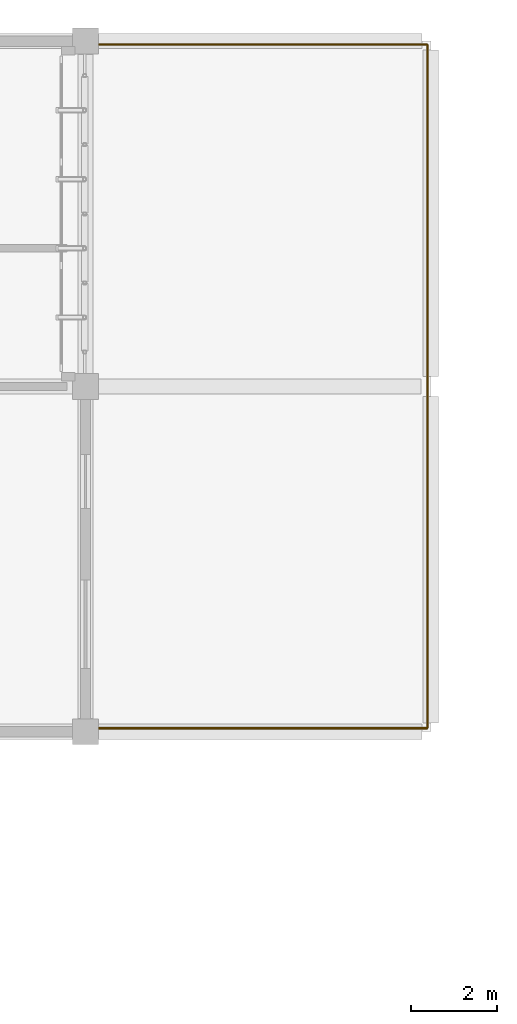
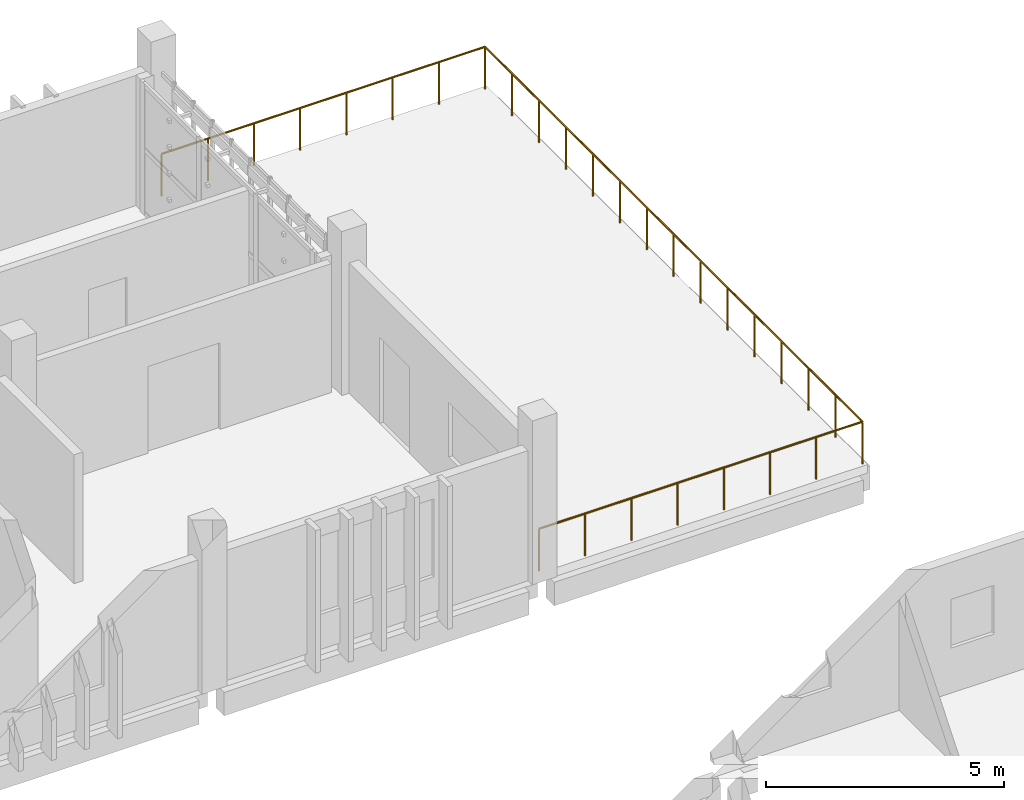
# One storey, part 48 of 48: 1 railing.
"""IFC4 building model written with IfcOpenShell, lengths in metres."""

from ifc_helpers import new_model, si_unit, direction, frame, origin, origin_2d, place, context, subcontext, project, spatial, circle, extrude, material, type_object, element, save


model = new_model("IFC4")

# Units and contexts
model_context = context("Model", 3, precision=1e-05, world=origin(), true_north=direction((0.0, 1.0)))
body_context = subcontext(model_context, "Body", "Model", "MODEL_VIEW")
ifc_project = project(units=[si_unit("LENGTHUNIT", "METRE"), si_unit("AREAUNIT", "SQUARE_METRE"), si_unit("VOLUMEUNIT", "CUBIC_METRE"), si_unit("PLANEANGLEUNIT", "RADIAN"), si_unit("MASSUNIT", "GRAM", prefix="KILO")], contexts=[model_context])

# Site, building, storey
site_placement = place(None, origin())
site = spatial("IfcSite", under=ifc_project, at=site_placement, CompositionType="ELEMENT")
building_placement = place(site_placement, origin())
building = spatial("IfcBuilding", under=site, at=building_placement, Name="Jelvoka-Kovrelna Polytechnic", CompositionType="ELEMENT")
storey_placement = place(building_placement, frame((0.0, 0.0, 22.199951171875)))
storey = spatial("IfcBuildingStorey", under=building, at=storey_placement, Name="L06", CompositionType="ELEMENT", Elevation=22.199951171875)

# Railing
ifc_material = material(Name="Brushed stainless steel Grade 316", Category="steel")
railing_type = type_object("IfcRailingType", Name="Railing_Terrace_Guard_1100", PredefinedType="GUARDRAIL", material=ifc_material)
railing_placement = place(storey_placement, frame((184.080078125, 56.080078125, 0.0)))
element("IfcRailing", 1, at=railing_placement, inside=storey, type_object=railing_type, Name="L06 terrace perimeter guard TER-L06-B3E", PredefinedType="GUARDRAIL", context=body_context, shape_type="SweptSolid", body=[
    extrude(circle(Radius=0.02392578125, at=origin_2d()), frame((0.0, 0.0, 1.076171875), z_axis=(1.0, 0.0, 0.0), x_axis=(0.0, 1.0, 0.0)), (0.0, 0.0, 1.0), 7.83984375),
    extrude(circle(Radius=0.02392578125, at=origin_2d()), frame((7.83984375, 0.0, 1.076171875), z_axis=(0.0, 1.0, 0.0), x_axis=(-1.0, 0.0, 0.0)), (0.0, 0.0, 1.0), 15.83984375),
    extrude(circle(Radius=0.02392578125, at=origin_2d()), frame((7.83984375, 15.83984375, 1.076171875), z_axis=(-1.0, 0.0, 0.0), x_axis=(0.0, -1.0, 0.0)), (0.0, 0.0, 1.0), 7.83984375),
    extrude(circle(Radius=0.02099609375, at=origin_2d()), origin(), (0.0, 0.0, 1.0), 1.052001953125),
    extrude(circle(Radius=0.02099609375, at=origin_2d()), frame((1.119873046875, 0.0, 0.0)), (0.0, 0.0, 1.0), 1.052001953125),
    extrude(circle(Radius=0.02099609375, at=origin_2d()), frame((2.239990234375, 0.0, 0.0)), (0.0, 0.0, 1.0), 1.052001953125),
    extrude(circle(Radius=0.02099609375, at=origin_2d()), frame((3.35986328125, 0.0, 0.0)), (0.0, 0.0, 1.0), 1.052001953125),
    extrude(circle(Radius=0.02099609375, at=origin_2d()), frame((4.47998046875, 0.0, 0.0)), (0.0, 0.0, 1.0), 1.052001953125),
    extrude(circle(Radius=0.02099609375, at=origin_2d()), frame((5.599853515625, 0.0, 0.0)), (0.0, 0.0, 1.0), 1.052001953125),
    extrude(circle(Radius=0.02099609375, at=origin_2d()), frame((6.719970703125, 0.0, 0.0)), (0.0, 0.0, 1.0), 1.052001953125),
    extrude(circle(Radius=0.02099609375, at=origin_2d()), frame((7.83984375, 0.0, 0.0)), (0.0, 0.0, 1.0), 1.052001953125),
    extrude(circle(Radius=0.02099609375, at=origin_2d()), frame((7.83984375, 1.13134765625, 0.0)), (0.0, 0.0, 1.0), 1.052001953125),
    extrude(circle(Radius=0.02099609375, at=origin_2d()), frame((7.83984375, 2.262939453125, 0.0)), (0.0, 0.0, 1.0), 1.052001953125),
    extrude(circle(Radius=0.02099609375, at=origin_2d()), frame((7.83984375, 3.394287109375, 0.0)), (0.0, 0.0, 1.0), 1.052001953125),
    extrude(circle(Radius=0.02099609375, at=origin_2d()), frame((7.83984375, 4.525634765625, 0.0)), (0.0, 0.0, 1.0), 1.052001953125),
    extrude(circle(Radius=0.02099609375, at=origin_2d()), frame((7.83984375, 5.656982421875, 0.0)), (0.0, 0.0, 1.0), 1.052001953125),
    extrude(circle(Radius=0.02099609375, at=origin_2d()), frame((7.83984375, 6.78857421875, 0.0)), (0.0, 0.0, 1.0), 1.052001953125),
    extrude(circle(Radius=0.02099609375, at=origin_2d()), frame((7.83984375, 7.919921875, 0.0)), (0.0, 0.0, 1.0), 1.052001953125),
    extrude(circle(Radius=0.02099609375, at=origin_2d()), frame((7.83984375, 9.05126953125, 0.0)), (0.0, 0.0, 1.0), 1.052001953125),
    extrude(circle(Radius=0.02099609375, at=origin_2d()), frame((7.83984375, 10.182861328125, 0.0)), (0.0, 0.0, 1.0), 1.052001953125),
    extrude(circle(Radius=0.02099609375, at=origin_2d()), frame((7.83984375, 11.314208984375, 0.0)), (0.0, 0.0, 1.0), 1.052001953125),
    extrude(circle(Radius=0.02099609375, at=origin_2d()), frame((7.83984375, 12.445556640625, 0.0)), (0.0, 0.0, 1.0), 1.052001953125),
    extrude(circle(Radius=0.02099609375, at=origin_2d()), frame((7.83984375, 13.576904296875, 0.0)), (0.0, 0.0, 1.0), 1.052001953125),
    extrude(circle(Radius=0.02099609375, at=origin_2d()), frame((7.83984375, 14.70849609375, 0.0)), (0.0, 0.0, 1.0), 1.052001953125),
    extrude(circle(Radius=0.02099609375, at=origin_2d()), frame((7.83984375, 15.83984375, 0.0)), (0.0, 0.0, 1.0), 1.052001953125),
    extrude(circle(Radius=0.02099609375, at=origin_2d()), frame((6.719970703125, 15.83984375, 0.0)), (0.0, 0.0, 1.0), 1.052001953125),
    extrude(circle(Radius=0.02099609375, at=origin_2d()), frame((5.599853515625, 15.83984375, 0.0)), (0.0, 0.0, 1.0), 1.052001953125),
    extrude(circle(Radius=0.02099609375, at=origin_2d()), frame((4.47998046875, 15.83984375, 0.0)), (0.0, 0.0, 1.0), 1.052001953125),
    extrude(circle(Radius=0.02099609375, at=origin_2d()), frame((3.35986328125, 15.83984375, 0.0)), (0.0, 0.0, 1.0), 1.052001953125),
    extrude(circle(Radius=0.02099609375, at=origin_2d()), frame((2.239990234375, 15.83984375, 0.0)), (0.0, 0.0, 1.0), 1.052001953125),
    extrude(circle(Radius=0.02099609375, at=origin_2d()), frame((1.119873046875, 15.83984375, 0.0)), (0.0, 0.0, 1.0), 1.052001953125),
    extrude(circle(Radius=0.02099609375, at=origin_2d()), frame((0.0, 15.83984375, 0.0)), (0.0, 0.0, 1.0), 1.052001953125),
])

save(model, "model.ifc")
